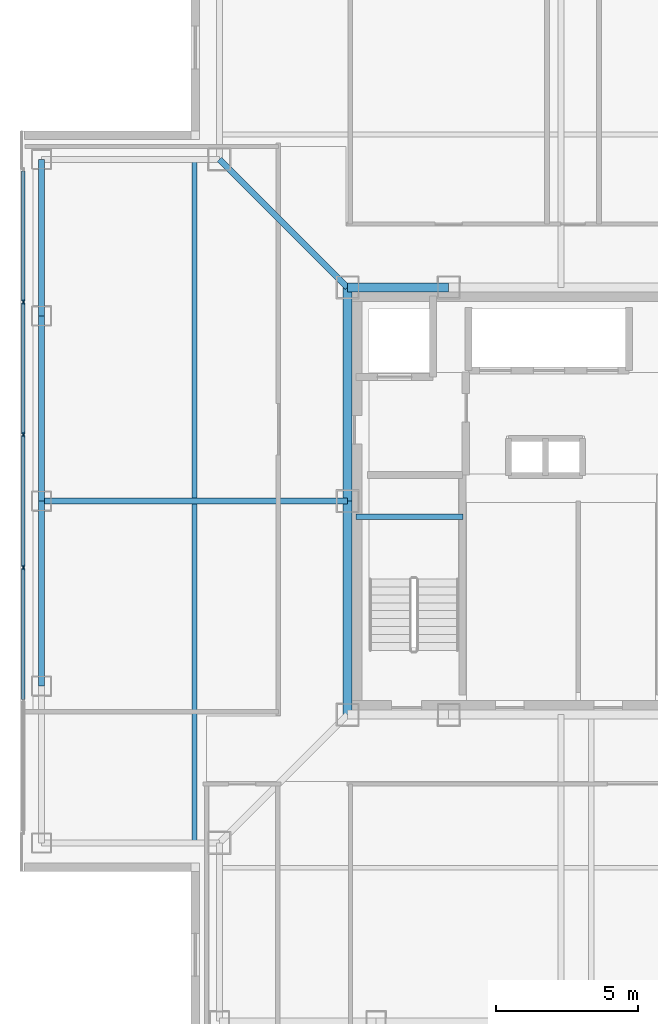
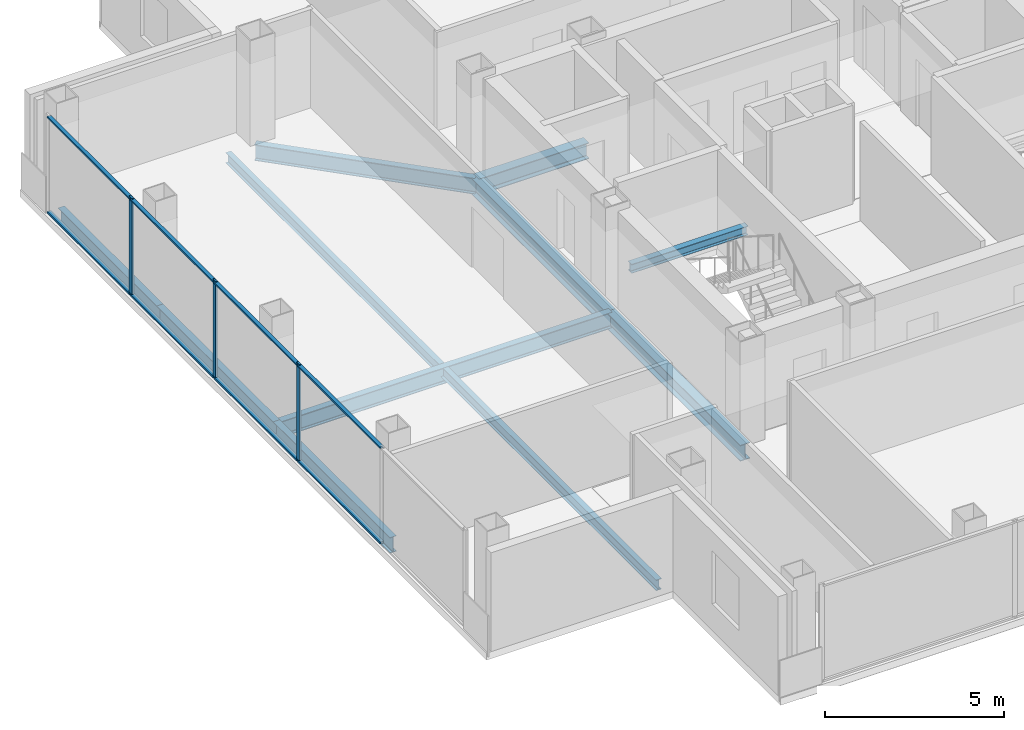
# One storey, part 3 of 15: 11 members, 10 beams, 1 element without a shape of its own.
"""IFC4 building model written with IfcOpenShell, lengths in metres."""

from ifc_helpers import new_model, si_unit, direction, frame, origin, origin_2d, place, context, subcontext, project, spatial, rectangle, i_section, extrude, material, layer, layer_set, material_profile, profile_set, type_object, element, aggregate, save


model = new_model("IFC4")

# Units and contexts
model_context = context("Model", 3, precision=1e-05, world=origin(), true_north=direction((0.0, 1.0)))
body_context = subcontext(model_context, "Body", "Model", "MODEL_VIEW")
ifc_project = project(units=[si_unit("LENGTHUNIT", "METRE"), si_unit("AREAUNIT", "SQUARE_METRE"), si_unit("VOLUMEUNIT", "CUBIC_METRE"), si_unit("PLANEANGLEUNIT", "RADIAN"), si_unit("MASSUNIT", "GRAM", prefix="KILO")], contexts=[model_context])

# Site, building, storey
site_placement = place(None, origin())
site = spatial("IfcSite", under=ifc_project, at=site_placement, CompositionType="ELEMENT")
building_placement = place(site_placement, origin())
building = spatial("IfcBuilding", under=site, at=building_placement, Name="Trevonay Congress Spire", CompositionType="ELEMENT")
storey_placement = place(building_placement, frame((0.0, 0.0, 243.199951171875)))
storey = spatial("IfcBuildingStorey", under=building, at=storey_placement, Name="L63", CompositionType="ELEMENT", Elevation=243.199951171875)

# Beams
ifc_material_1 = material(Name="Steel ASTM A572 Grade 50", Category="steel")
ifc_material_profile_1 = material_profile(ifc_material_1, i_section(OverallWidth=0.2119140625, OverallDepth=0.5439453125, WebThickness=0.01318359375, FlangeThickness=0.021240234375, FilletRadius=0.014892578125, at=origin_2d()), Name="W530x123")
ifc_profile_set_1 = profile_set([ifc_material_profile_1], Name="Steel ASTM A572 Grade 50")
beam_type_1 = type_object("IfcBeamType", Name="BM-GIRD-W530X123", PredefinedType="BEAM", material=ifc_profile_set_1)
beam_1_placement = place(storey_placement, frame((-7.5, 7.5, -0.511962890625), z_axis=(-0.707106781187, 0.707106781187, 0.0), x_axis=(-0.707106781187, -0.707106781187, 0.0)))
element("IfcBeam", 1, at=beam_1_placement, inside=storey, type_object=beam_type_1, Name="L63 structural beam BM-L63-CDNW", PredefinedType="BEAM", context=body_context, shape_type="SweptSolid", body=[
    extrude(i_section(OverallWidth=0.2119140625, OverallDepth=0.5439453125, WebThickness=0.01318359375, FlangeThickness=0.021240234375, FilletRadius=0.014892578125, at=origin_2d()), origin(), (0.0, 0.0, 1.0), 6.364013671875),
])
beam_2_placement = place(storey_placement, frame((-7.5, 0.0, -0.511962890625), z_axis=(-1.0, 0.0, 0.0), x_axis=(0.0, -1.0, 0.0)))
element("IfcBeam", 2, at=beam_2_placement, inside=storey, type_object=beam_type_1, Name="L63 structural beam BM-L63-GC-W", PredefinedType="BEAM", context=body_context, shape_type="SweptSolid", body=[
    extrude(i_section(OverallWidth=0.2119140625, OverallDepth=0.5439453125, WebThickness=0.01318359375, FlangeThickness=0.021240234375, FilletRadius=0.014892578125, at=origin_2d()), origin(), (0.0, 0.0, 1.0), 10.75),
])
ifc_material_profile_2 = material_profile(ifc_material_1, i_section(OverallWidth=0.31201171875, OverallDepth=0.54296875, WebThickness=0.0126953125, FlangeThickness=0.020263671875, FilletRadius=0.014892578125, at=origin_2d()), Name="W530x150")
ifc_profile_set_2 = profile_set([ifc_material_profile_2], Name="Steel ASTM A572 Grade 50")
beam_type_2 = type_object("IfcBeamType", Name="BM-GIRD-W530X150", PredefinedType="BEAM", material=ifc_profile_set_2)
beam_3_placement = place(storey_placement, frame((-7.5, 7.5, -0.511474609375), z_axis=(1.0, 0.0, 0.0), x_axis=(0.0, 1.0, 0.0)))
element("IfcBeam", 3, at=beam_3_placement, inside=storey, type_object=beam_type_2, Name="L63 structural beam BM-L63-CR-N1", PredefinedType="BEAM", context=body_context, shape_type="SweptSolid", body=[
    extrude(i_section(OverallWidth=0.31201171875, OverallDepth=0.54296875, WebThickness=0.0126953125, FlangeThickness=0.020263671875, FilletRadius=0.014892578125, at=origin_2d()), origin(), (0.0, 0.0, 1.0), 3.550048828125),
])
for number, where, z_axis, x_axis, name in (
    (4, (-7.5, -7.5, -0.511474609375), (0.0, 1.0, 0.0), (-1.0, 0.0, 0.0), "L63 structural beam BM-L63-CR-W1"),
    (5, (-7.5, 0.0, -0.511474609375), (0.0, 1.0, 0.0), (-1.0, 0.0, 0.0), "L63 structural beam BM-L63-CR-W2"),
):
    element("IfcBeam", number, at=place(storey_placement, frame(where, z_axis=z_axis, x_axis=x_axis)), inside=storey, type_object=beam_type_2, Name=name, PredefinedType="BEAM", context=body_context, shape_type="SweptSolid", body=[
        extrude(i_section(OverallWidth=0.31201171875, OverallDepth=0.54296875, WebThickness=0.0126953125, FlangeThickness=0.020263671875, FilletRadius=0.014892578125, at=origin_2d()), origin(), (0.0, 0.0, 1.0), 7.5),
    ])
ifc_material_profile_3 = material_profile(ifc_material_1, i_section(OverallWidth=0.208984375, OverallDepth=0.532958984375, WebThickness=0.01025390625, FlangeThickness=0.015625, FilletRadius=0.014892578125, at=origin_2d()), Name="W530x92")
ifc_profile_set_3 = profile_set([ifc_material_profile_3], Name="Steel ASTM A572 Grade 50")
beam_type_3 = type_object("IfcBeamType", Name="BM-RING-W530X92", PredefinedType="BEAM", material=ifc_profile_set_3)
for number, where, z_axis, x_axis, name in (
    (6, (-18.25, -6.5, -0.50634765625), (0.0, 1.0, 0.0), (-1.0, 0.0, 0.0), "L63 structural beam BM-L63-PW2"),
    (7, (-18.25, 0.0, -0.50634765625), (0.0, 1.0, 0.0), (-1.0, 0.0, 0.0), "L63 structural beam BM-L63-PW3"),
):
    element("IfcBeam", number, at=place(storey_placement, frame(where, z_axis=z_axis, x_axis=x_axis)), inside=storey, type_object=beam_type_3, Name=name, PredefinedType="BEAM", context=body_context, shape_type="SweptSolid", body=[
        extrude(i_section(OverallWidth=0.208984375, OverallDepth=0.532958984375, WebThickness=0.01025390625, FlangeThickness=0.015625, FilletRadius=0.014892578125, at=origin_2d()), origin(), (0.0, 0.0, 1.0), 6.5),
    ])
beam_4_placement = place(storey_placement, frame((-18.25, 6.5, -0.50634765625), z_axis=(0.0, 1.0, 0.0), x_axis=(-1.0, 0.0, 0.0)))
element("IfcBeam", 8, at=beam_4_placement, inside=storey, type_object=beam_type_3, Name="L63 structural beam BM-L63-PW4", PredefinedType="BEAM", context=body_context, shape_type="SweptSolid", body=[
    extrude(i_section(OverallWidth=0.208984375, OverallDepth=0.532958984375, WebThickness=0.01025390625, FlangeThickness=0.015625, FilletRadius=0.014892578125, at=origin_2d()), origin(), (0.0, 0.0, 1.0), 5.5),
])

# Curtain wall, members
ifc_material_2 = material(Name="Pale Anodised Aluminium EN AW-6063-T6", Category="aluminium")
ifc_layer = layer(ifc_material_2, 0.1650390625, Name="Pale Anodised Aluminium EN AW-6063-T6")
ifc_layer_set = layer_set([ifc_layer], Name="Pale Anodised Aluminium EN AW-6063-T6")
curtain_wall_type = type_object("IfcCurtainWallType", Name="CW-SYS05-DIPLOM-PALE-METAL", PredefinedType="NOTDEFINED", material=ifc_layer_set)
curtain_wall_placement = place(storey_placement, origin())
curtain_wall = element("IfcCurtainWall", 9, at=curtain_wall_placement, inside=storey, type_object=curtain_wall_type, Name="L63 W unitised curtain wall", PredefinedType="NOTDEFINED")
ifc_material_profile_4 = material_profile(ifc_material_2, rectangle(XDim=0.06005859375, YDim=0.159912109375, at=origin_2d()), Name="CW-MULLION-160-ALUMINIUM")
ifc_profile_set_4 = profile_set([ifc_material_profile_4], Name="Pale Anodised Aluminium EN AW-6063-T6")
member_type_1 = type_object("IfcMemberType", Name="CW-MULLION-160-ALUMINIUM", PredefinedType="MULLION", material=ifc_profile_set_4)
member_1_placement = place(storey_placement, frame((-18.8798828125, -2.330078125, 0.0), z_axis=(0.0, 0.0, 1.0), x_axis=(-1.0, 0.0, 0.0)))
member_1 = element("IfcMember", 10, at=member_1_placement, type_object=member_type_1, Name="CW05 mullion 3", PredefinedType="MULLION", context=body_context, shape_type="SweptSolid", body=[
    extrude(rectangle(XDim=0.06005859375, YDim=0.159912109375, at=origin_2d()), origin(), (0.0, 0.0, 1.0), 3.360107421875),
])
member_2_placement = place(storey_placement, frame((-18.8798828125, 2.330078125, 0.0), z_axis=(0.0, 0.0, 1.0), x_axis=(-1.0, 0.0, 0.0)))
member_2 = element("IfcMember", 11, at=member_2_placement, type_object=member_type_1, Name="CW05 mullion 4", PredefinedType="MULLION", context=body_context, shape_type="SweptSolid", body=[
    extrude(rectangle(XDim=0.06005859375, YDim=0.159912109375, at=origin_2d()), origin(), (0.0, 0.0, 1.0), 3.360107421875),
])
member_3_placement = place(storey_placement, frame((-18.8798828125, 6.989990234375, 0.0), z_axis=(0.0, 0.0, 1.0), x_axis=(-1.0, 0.0, 0.0)))
member_3 = element("IfcMember", 12, at=member_3_placement, type_object=member_type_1, Name="CW05 mullion 5", PredefinedType="MULLION", context=body_context, shape_type="SweptSolid", body=[
    extrude(rectangle(XDim=0.06005859375, YDim=0.159912109375, at=origin_2d()), origin(), (0.0, 0.0, 1.0), 3.360107421875),
])
ifc_material_profile_5 = material_profile(ifc_material_2, rectangle(XDim=0.1201171875, YDim=0.06005859375, at=origin_2d()), Name="CW-TRANSOM-120-ALUMINIUM")
ifc_profile_set_5 = profile_set([ifc_material_profile_5], Name="Pale Anodised Aluminium EN AW-6063-T6")
member_type_2 = type_object("IfcMemberType", Name="CW-TRANSOM-120-ALUMINIUM", PredefinedType="USERDEFINED", material=ifc_profile_set_5)
member_4_placement = place(storey_placement, frame((-18.8798828125, -6.9599609375, 0.06005859375), z_axis=(0.0, 1.0, 0.0), x_axis=(-1.0, 0.0, 0.0)))
member_4 = element("IfcMember", 13, at=member_4_placement, type_object=member_type_2, Name="CW05 transom 2.1", ObjectType="TRANSOM", PredefinedType="USERDEFINED", context=body_context, shape_type="SweptSolid", body=[
    extrude(rectangle(XDim=0.1201171875, YDim=0.06005859375, at=origin_2d()), origin(), (0.0, 0.0, 1.0), 4.599853515625),
])
member_5_placement = place(storey_placement, frame((-18.8798828125, -6.9599609375, 3.300048828125), z_axis=(0.0, 1.0, 0.0), x_axis=(-1.0, 0.0, 0.0)))
member_5 = element("IfcMember", 14, at=member_5_placement, type_object=member_type_2, Name="CW05 transom 2.2", ObjectType="TRANSOM", PredefinedType="USERDEFINED", context=body_context, shape_type="SweptSolid", body=[
    extrude(rectangle(XDim=0.1201171875, YDim=0.06005859375, at=origin_2d()), origin(), (0.0, 0.0, 1.0), 4.599853515625),
])
member_6_placement = place(storey_placement, frame((-18.8798828125, -2.300048828125, 0.06005859375), z_axis=(0.0, 1.0, 0.0), x_axis=(-1.0, 0.0, 0.0)))
member_6 = element("IfcMember", 15, at=member_6_placement, type_object=member_type_2, Name="CW05 transom 3.1", ObjectType="TRANSOM", PredefinedType="USERDEFINED", context=body_context, shape_type="SweptSolid", body=[
    extrude(rectangle(XDim=0.1201171875, YDim=0.06005859375, at=origin_2d()), origin(), (0.0, 0.0, 1.0), 4.60009765625),
])
member_7_placement = place(storey_placement, frame((-18.8798828125, -2.300048828125, 3.300048828125), z_axis=(0.0, 1.0, 0.0), x_axis=(-1.0, 0.0, 0.0)))
member_7 = element("IfcMember", 16, at=member_7_placement, type_object=member_type_2, Name="CW05 transom 3.2", ObjectType="TRANSOM", PredefinedType="USERDEFINED", context=body_context, shape_type="SweptSolid", body=[
    extrude(rectangle(XDim=0.1201171875, YDim=0.06005859375, at=origin_2d()), origin(), (0.0, 0.0, 1.0), 4.60009765625),
])
member_8_placement = place(storey_placement, frame((-18.8798828125, 2.360107421875, 0.06005859375), z_axis=(0.0, 1.0, 0.0), x_axis=(-1.0, 0.0, 0.0)))
member_8 = element("IfcMember", 17, at=member_8_placement, type_object=member_type_2, Name="CW05 transom 4.1", ObjectType="TRANSOM", PredefinedType="USERDEFINED", context=body_context, shape_type="SweptSolid", body=[
    extrude(rectangle(XDim=0.1201171875, YDim=0.06005859375, at=origin_2d()), origin(), (0.0, 0.0, 1.0), 4.599853515625),
])
member_9_placement = place(storey_placement, frame((-18.8798828125, 2.360107421875, 3.300048828125), z_axis=(0.0, 1.0, 0.0), x_axis=(-1.0, 0.0, 0.0)))
member_9 = element("IfcMember", 18, at=member_9_placement, type_object=member_type_2, Name="CW05 transom 4.2", ObjectType="TRANSOM", PredefinedType="USERDEFINED", context=body_context, shape_type="SweptSolid", body=[
    extrude(rectangle(XDim=0.1201171875, YDim=0.06005859375, at=origin_2d()), origin(), (0.0, 0.0, 1.0), 4.599853515625),
])
member_10_placement = place(storey_placement, frame((-18.8798828125, 7.02001953125, 0.06005859375), z_axis=(0.0, 1.0, 0.0), x_axis=(-1.0, 0.0, 0.0)))
member_10 = element("IfcMember", 19, at=member_10_placement, type_object=member_type_2, Name="CW05 transom 5.1", ObjectType="TRANSOM", PredefinedType="USERDEFINED", context=body_context, shape_type="SweptSolid", body=[
    extrude(rectangle(XDim=0.1201171875, YDim=0.06005859375, at=origin_2d()), origin(), (0.0, 0.0, 1.0), 4.570068359375),
])
member_11_placement = place(storey_placement, frame((-18.8798828125, 7.02001953125, 3.300048828125), z_axis=(0.0, 1.0, 0.0), x_axis=(-1.0, 0.0, 0.0)))
member_11 = element("IfcMember", 20, at=member_11_placement, type_object=member_type_2, Name="CW05 transom 5.2", ObjectType="TRANSOM", PredefinedType="USERDEFINED", context=body_context, shape_type="SweptSolid", body=[
    extrude(rectangle(XDim=0.1201171875, YDim=0.06005859375, at=origin_2d()), origin(), (0.0, 0.0, 1.0), 4.570068359375),
])
aggregate(curtain_wall, [member_1, member_2, member_3, member_4, member_5, member_6, member_7, member_8, member_9, member_10, member_11])

# Beams
ifc_material_profile_6 = material_profile(ifc_material_1, i_section(OverallWidth=0.172119140625, OverallDepth=0.35791015625, WebThickness=0.0078125, FlangeThickness=0.01318359375, FilletRadius=0.011962890625, at=origin_2d()), Name="W360x57.8")
ifc_profile_set_6 = profile_set([ifc_material_profile_6], Name="Steel ASTM A572 Grade 50")
beam_type_4 = type_object("IfcBeamType", Name="JS-COMP-W360X57", PredefinedType="JOIST", material=ifc_profile_set_6)
beam_5_placement = place(storey_placement, frame((-12.875, -12.0, -0.4189453125), z_axis=(0.0, 1.0, 0.0), x_axis=(-1.0, 0.0, 0.0)))
element("IfcBeam", 21, at=beam_5_placement, inside=storey, type_object=beam_type_4, Name="L63 structural beam JS-L63-RING-W", PredefinedType="JOIST", context=body_context, shape_type="SweptSolid", body=[
    extrude(i_section(OverallWidth=0.172119140625, OverallDepth=0.35791015625, WebThickness=0.0078125, FlangeThickness=0.01318359375, FilletRadius=0.011962890625, at=origin_2d()), origin(), (0.0, 0.0, 1.0), 24.0),
])
ifc_material_profile_7 = material_profile(ifc_material_1, i_section(OverallWidth=0.2041015625, OverallDepth=0.305908203125, WebThickness=0.008544921875, FlangeThickness=0.0146484375, FilletRadius=0.010986328125, at=origin_2d()), Name="W310x67")
ifc_profile_set_7 = profile_set([ifc_material_profile_7], Name="Steel ASTM A572 Grade 50")
beam_type_5 = type_object("IfcBeamType", Name="LN-CORE-W310X67", PredefinedType="LINTEL", material=ifc_profile_set_7)
beam_6_placement = place(storey_placement, frame((-7.199951171875, -0.550048828125, 1.447021484375), z_axis=(1.0, 0.0, 0.0), x_axis=(0.0, 1.0, 0.0)))
element("IfcBeam", 22, at=beam_6_placement, inside=storey, type_object=beam_type_5, Name="L63 structural beam BM-L63-HL-ST1", PredefinedType="LINTEL", context=body_context, shape_type="SweptSolid", body=[
    extrude(i_section(OverallWidth=0.2041015625, OverallDepth=0.305908203125, WebThickness=0.008544921875, FlangeThickness=0.0146484375, FilletRadius=0.010986328125, at=origin_2d()), origin(), (0.0, 0.0, 1.0), 3.75),
])

save(model, "model.ifc")
